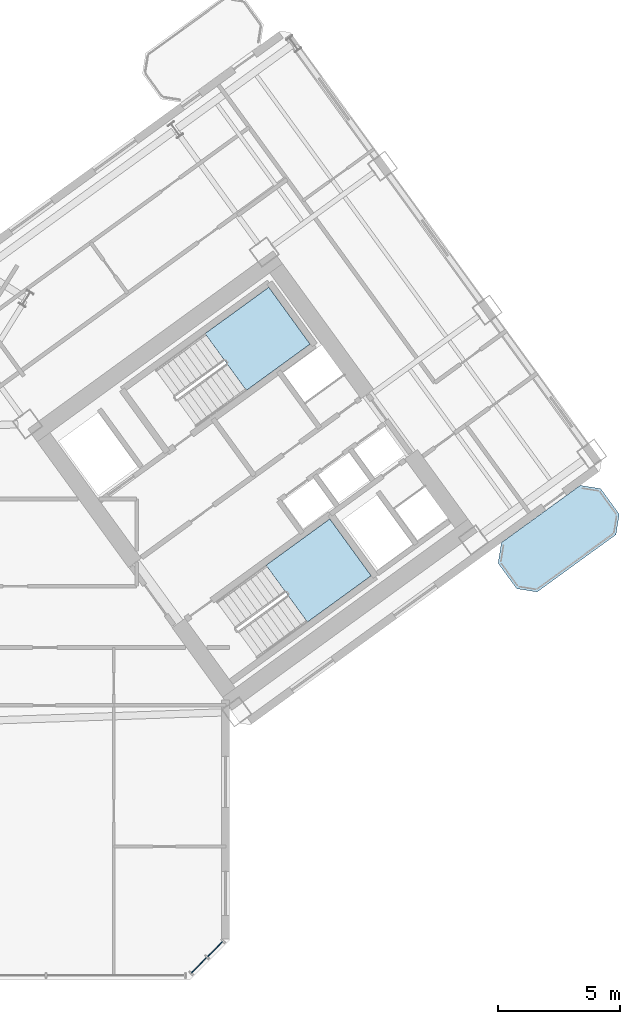
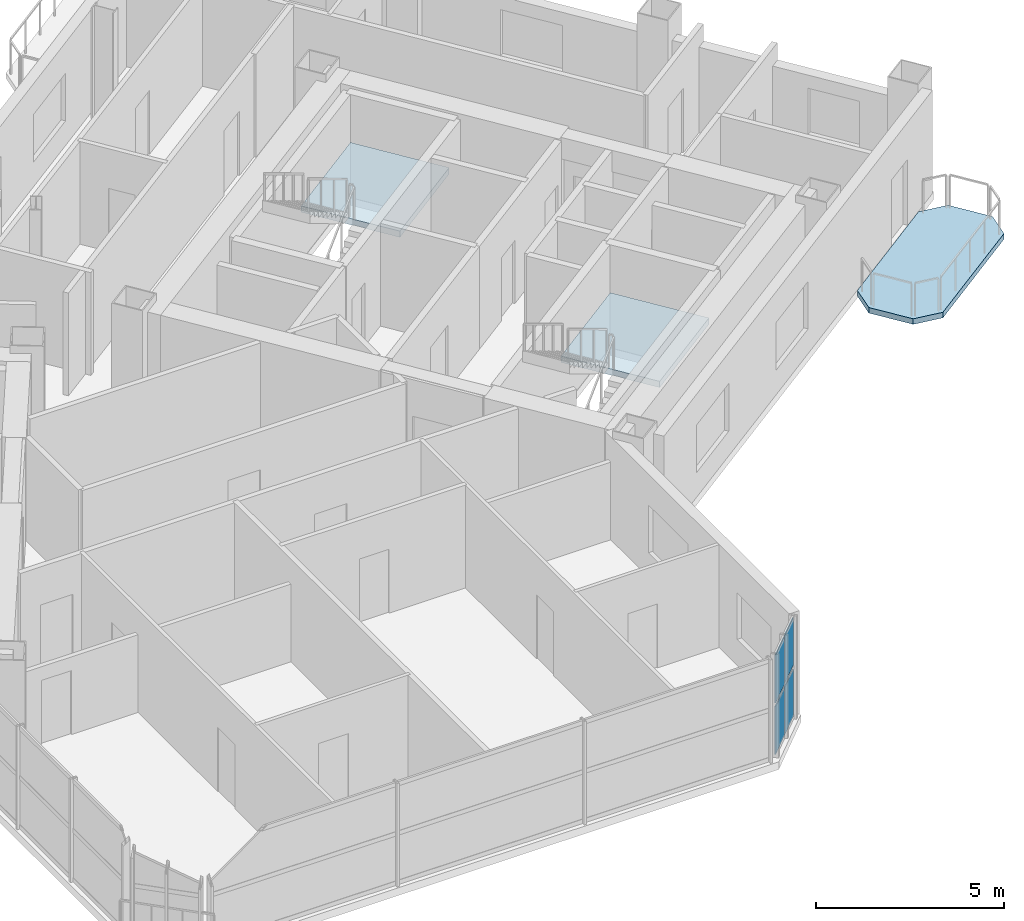
# One storey, part 10 of 21: 4 plates, 3 slabs, 3 elements without a shape of their own.
"""IFC4 building model written with IfcOpenShell, lengths in metres."""

import ifcopenshell
import ifcopenshell.guid

model = None  # the IFC model being written
_history = None  # IfcOwnerHistory: only IFC2X3 demands one
_inside = {}  # id of a spatial element -> (the spatial element, [elements in it])
_under = {}  # id of a project, library or spatial element -> (it, [spatial elements below it])
_declared = {}  # id of a project -> (the project, [libraries it declares])
_typed = {}  # id of a type object -> (the type object, [elements of that type])
_made_of = {}  # id of a material, layer set ... -> (it, [elements and type objects made of it])


def new_model(schema):
    """Start an empty IFC model of exactly this schema.

    Asked for "IFC4X3", IfcOpenShell would pick the latest addendum, in which some entities
    have other attributes; the version numbers below select the first issue.
    IFC2X3 requires an IfcOwnerHistory on every rooted entity: one is made here for all.
    """
    global model, _history
    if schema == "IFC4X3":
        model = ifcopenshell.file(schema_version=(4, 3, 0, 0))
    else:
        model = ifcopenshell.file(schema=schema)
    _inside.clear()
    _under.clear()
    _declared.clear()
    _typed.clear()
    _made_of.clear()
    _history = None
    if model.schema == "IFC2X3":
        org = make("IfcOrganization", Name="unknown")
        user = make(
            "IfcPersonAndOrganization",
            ThePerson=make("IfcPerson", FamilyName="unknown"),
            TheOrganization=org,
        )
        app = make(
            "IfcApplication",
            ApplicationDeveloper=org,
            Version="unknown",
            ApplicationFullName="unknown",
            ApplicationIdentifier="unknown",
        )
        _history = make(
            "IfcOwnerHistory",
            OwningUser=user,
            OwningApplication=app,
            ChangeAction="ADDED",
            CreationDate=0,
        )
    return model


def make(cls, **values):
    """One entity of the class cls with the attributes given. An attribute that is None is left unset."""
    return model.create_entity(
        cls, **{name: value for name, value in values.items() if value is not None}
    )


def rooted(cls, **values):
    """An entity with a GlobalId (a new one), such as an element, a storey or a relation."""
    return make(cls, GlobalId=ifcopenshell.guid.new(), OwnerHistory=_history, **values)


def si_unit(unit_type, name, prefix=None):
    """IfcSIUnit, for example si_unit("LENGTHUNIT", "METRE", prefix="MILLI")."""
    return make("IfcSIUnit", UnitType=unit_type, Prefix=prefix, Name=name)


def assignment(units):
    """IfcUnitAssignment: the units of a project."""
    return None if units is None else make("IfcUnitAssignment", Units=units)


def point(xyz):
    """IfcCartesianPoint."""
    return None if xyz is None else make("IfcCartesianPoint", Coordinates=xyz)


def direction(xyz):
    """IfcDirection."""
    return None if xyz is None else make("IfcDirection", DirectionRatios=xyz)


def frame(location, z_axis=None, x_axis=None):
    """IfcAxis2Placement3D, a coordinate frame: its origin and axes. An axis left out is left unset."""
    return make(
        "IfcAxis2Placement3D",
        Location=point(location),
        Axis=direction(z_axis),
        RefDirection=direction(x_axis),
    )


def frame_2d(location, x_axis=None):
    """IfcAxis2Placement2D, a coordinate frame in the plane: its origin and x axis."""
    return make(
        "IfcAxis2Placement2D", Location=point(location), RefDirection=direction(x_axis)
    )


def origin():
    """The frame at (0, 0, 0) with its axes left unset."""
    return frame((0.0, 0.0, 0.0))


def origin_2d():
    """The frame at (0, 0) in the plane with its x axis left unset."""
    return frame_2d((0.0, 0.0))


def place(relative_to, where):
    """IfcLocalPlacement: puts the frame where relative to a parent placement (None: the world)."""
    return make(
        "IfcLocalPlacement", PlacementRelTo=relative_to, RelativePlacement=where
    )


def context(
    kind, dimensions, precision=None, world=None, true_north=None, identifier=None
):
    """IfcGeometricRepresentationContext, for example the 3D "Model" context."""
    return make(
        "IfcGeometricRepresentationContext",
        ContextIdentifier=identifier,
        ContextType=kind,
        CoordinateSpaceDimension=dimensions,
        Precision=precision,
        WorldCoordinateSystem=world,
        TrueNorth=true_north,
    )


def subcontext(parent, identifier, kind, view, scale=None):
    """IfcGeometricRepresentationSubContext, for example "Body" below "Model"."""
    return make(
        "IfcGeometricRepresentationSubContext",
        ContextIdentifier=identifier,
        ContextType=kind,
        ParentContext=parent,
        TargetScale=scale,
        TargetView=view,
    )


def project(units=None, contexts=None):
    """IfcProject with its units and contexts."""
    return rooted(
        "IfcProject",
        Name="project",
        RepresentationContexts=contexts,
        UnitsInContext=assignment(units),
    )


def spatial(cls, under=None, at=None, **own):
    """A site, building, storey or space (cls), placed at a placement, below another one or the project."""
    s = rooted(cls, ObjectPlacement=at, **own)
    if under is not None:
        _under.setdefault(under.id(), (under, []))[1].append(s)
    return s


def polyline(points):
    """IfcPolyline through the points."""
    return make("IfcPolyline", Points=[point(p) for p in points])


def profile(cls, at=None, kind="AREA", **sizes):
    """A parametric profile (cls). Its sizes go by their IFC names, for example OverallWidth=200.0."""
    return make(cls, ProfileType=kind, Position=at, **sizes)


def rectangle(**sizes):
    """IfcRectangleProfileDef."""
    return profile("IfcRectangleProfileDef", **sizes)


def outline(outer, holes=None, kind="AREA"):
    """IfcArbitraryClosedProfileDef: a profile drawn as a closed curve; with holes, ...WithVoids."""
    if holes is None:
        return make("IfcArbitraryClosedProfileDef", ProfileType=kind, OuterCurve=outer)
    return make(
        "IfcArbitraryProfileDefWithVoids",
        ProfileType=kind,
        OuterCurve=outer,
        InnerCurves=holes,
    )


def extrude(swept, where, along, depth):
    """IfcExtrudedAreaSolid: the profile swept, set in the frame where, extruded along a direction by depth."""
    return make(
        "IfcExtrudedAreaSolid",
        SweptArea=swept,
        Position=where,
        ExtrudedDirection=direction(along),
        Depth=depth,
    )


def shape(context_of_items, identifier, shape_type, items):
    """IfcShapeRepresentation: the items that make up one representation, for example the "Body"."""
    return make(
        "IfcShapeRepresentation",
        ContextOfItems=context_of_items,
        RepresentationIdentifier=identifier,
        RepresentationType=shape_type,
        Items=items,
    )


def source(mapping_origin, context_of_items, identifier, shape_type, items):
    """IfcRepresentationMap: a shape defined once, which mapped items show again and again."""
    return make(
        "IfcRepresentationMap",
        MappingOrigin=mapping_origin,
        MappedRepresentation=shape(context_of_items, identifier, shape_type, items),
    )


def transform(
    local_origin,
    x_axis=None,
    y_axis=None,
    z_axis=None,
    scale=None,
    scale2=None,
    scale3=None,
    uniform=True,
):
    """IfcCartesianTransformationOperator3D, or its non-uniform kind. x_axis, y_axis, z_axis: its Axis1, 2, 3."""
    if uniform:
        return make(
            "IfcCartesianTransformationOperator3D",
            Axis1=direction(x_axis),
            Axis2=direction(y_axis),
            LocalOrigin=point(local_origin),
            Scale=scale,
            Axis3=direction(z_axis),
        )
    return make(
        "IfcCartesianTransformationOperator3DnonUniform",
        Axis1=direction(x_axis),
        Axis2=direction(y_axis),
        LocalOrigin=point(local_origin),
        Scale=scale,
        Axis3=direction(z_axis),
        Scale2=scale2,
        Scale3=scale3,
    )


def mapped(mapping_source, mapping_target):
    """IfcMappedItem: shows the shape of a source again, moved by a transform."""
    return make(
        "IfcMappedItem", MappingSource=mapping_source, MappingTarget=mapping_target
    )


def material(Name=None, Category=None):
    """IfcMaterial."""
    return make("IfcMaterial", Name=Name, Category=Category)


def layer(
    of_material, thickness, ventilated=None, Name=None, Category=None, Priority=None
):
    """IfcMaterialLayer: one layer of a wall or slab, of a material (None: an air gap)."""
    return make(
        "IfcMaterialLayer",
        Material=of_material,
        LayerThickness=thickness,
        IsVentilated=ventilated,
        Name=Name,
        Category=Category,
        Priority=Priority,
    )


def layer_set(layers, Name=None):
    """IfcMaterialLayerSet."""
    return make("IfcMaterialLayerSet", MaterialLayers=layers, LayerSetName=Name)


def made_of(thing, what):
    """Note that an element or type object is made of a material, layer set ...; save() writes the relation."""
    if what is not None:
        _made_of.setdefault(what.id(), (what, []))[1].append(thing)
    return thing


def type_object(cls, material=None, **own):
    """A type object (cls), such as IfcWallType, which elements share."""
    return made_of(rooted(cls, **own), material)


def element(
    cls,
    number,
    at=None,
    inside=None,
    cuts=None,
    type_object=None,
    material=None,
    context=None,
    identifier="Body",
    shape_type=None,
    held_by="IfcProductDefinitionShape",
    body=None,
    shapes=None,
    **own,
):
    """One element of the class cls, such as IfcWall. Its Tag is "e" and its number.

    at: its placement. inside: the storey or other place that contains it. cuts: it is an
    opening in that element (IfcRelVoidsElement). A single representation is given by context,
    identifier, shape_type and body (its items); several are given by shapes. held_by: the class
    of the entity that holds the representations. save() writes the other relations.
    """
    e = rooted(cls, Tag="e%d" % number, ObjectPlacement=at, **own)
    if body is not None:
        shapes = [shape(context, identifier, shape_type, body)]
    if shapes is not None:
        e.Representation = make(held_by, Representations=shapes)
    if inside is not None:
        _inside.setdefault(inside.id(), (inside, []))[1].append(e)
    if cuts is not None:
        rooted(
            "IfcRelVoidsElement", RelatingBuildingElement=cuts, RelatedOpeningElement=e
        )
    if type_object is not None:
        _typed.setdefault(type_object.id(), (type_object, []))[1].append(e)
    return made_of(e, material)


def aggregate(whole, parts):
    """IfcRelAggregates: a whole, such as a stair, and the parts it consists of."""
    return rooted("IfcRelAggregates", RelatingObject=whole, RelatedObjects=parts)


def save(model, path):
    """Write the relations noted so far, then the file.

    IfcRelAggregates (storeys below a building ...), IfcRelContainedInSpatialStructure (elements
    in a storey), IfcRelDefinesByType, IfcRelAssociatesMaterial and IfcRelDeclares: one each for
    every whole, place, type object, material and project.
    """
    for whole, parts in _under.values():
        aggregate(whole, parts)
    for where, things in _inside.values():
        rooted(
            "IfcRelContainedInSpatialStructure",
            RelatedElements=things,
            RelatingStructure=where,
        )
    for kind, things in _typed.values():
        rooted("IfcRelDefinesByType", RelatedObjects=things, RelatingType=kind)
    for what, things in _made_of.values():
        rooted("IfcRelAssociatesMaterial", RelatedObjects=things, RelatingMaterial=what)
    for by, libraries in _declared.values():
        rooted("IfcRelDeclares", RelatingContext=by, RelatedDefinitions=libraries)
    model.write(path)


model = new_model("IFC4")

# Units and contexts
model_context = context("Model", 3, precision=1e-05, world=origin(), true_north=direction((0.0, 1.0)))
body_context = subcontext(model_context, "Body", "Model", "MODEL_VIEW")
ifc_project = project(units=[si_unit("LENGTHUNIT", "METRE"), si_unit("AREAUNIT", "SQUARE_METRE"), si_unit("VOLUMEUNIT", "CUBIC_METRE"), si_unit("PLANEANGLEUNIT", "RADIAN"), si_unit("MASSUNIT", "GRAM", prefix="KILO")], contexts=[model_context])

# Site, building, storey
site_placement = place(None, origin())
site = spatial("IfcSite", under=ifc_project, at=site_placement, CompositionType="ELEMENT")
building_placement = place(site_placement, origin())
building = spatial("IfcBuilding", under=site, at=building_placement, Name="Tlacorven Tower", CompositionType="ELEMENT")
storey_placement = place(building_placement, frame((0.0, 0.0, 93.60009765625)))
storey = spatial("IfcBuildingStorey", under=building, at=storey_placement, Name="L23", CompositionType="ELEMENT", Elevation=93.60009765625)

# Slab
ifc_material_1 = material(Name="Precast concrete C45/55", Category="concrete")
ifc_layer_1 = layer(ifc_material_1, 0.179931640625)
ifc_layer_set_1 = layer_set([ifc_layer_1], Name="Precast concrete C45/55")
slab_type_1 = type_object("IfcSlabType", Name="SL-BAL-180", PredefinedType="USERDEFINED", material=ifc_layer_set_1)
slab_1_placement = place(storey_placement, frame((0.0, 0.0, -0.18017578125)))
element("IfcSlab", 1, at=slab_1_placement, inside=storey, type_object=slab_type_1, Name="L23 East Wing Balcony Ribbon OUT", ObjectType="BALCONY SLAB", PredefinedType="USERDEFINED", context=body_context, shape_type="SweptSolid", body=[
    extrude(outline(polyline([(65.025634765625, 17.69482421875), (68.26171875, 20.046142578125), (68.394287109375, 20.884033203125), (67.633056640625, 21.931884765625), (66.795166015625, 22.064453125), (63.55908203125, 19.71337890625), (63.42626953125, 18.875244140625), (64.1875, 17.82763671875), (65.025634765625, 17.69482421875)])), origin(), (0.0, 0.0, 1.0), 0.18017578125),
])

# Stair, slab
ifc_material_2 = material(Name="Concrete C40/50", Category="concrete")
stair_type = type_object("IfcStairType", Name="ST-CORE-DLG", PredefinedType="HALF_TURN_STAIR", material=ifc_material_2)
stair_1_placement = place(storey_placement, origin())
stair_1 = element("IfcStair", 2, at=stair_1_placement, inside=storey, type_object=stair_type, Name="L23 Protected Exit Stair East 1", PredefinedType="HALF_TURN_STAIR")
ifc_layer_2 = layer(ifc_material_2, 0.199951171875)
ifc_layer_set_2 = layer_set([ifc_layer_2], Name="Concrete C40/50")
slab_type_2 = type_object("IfcSlabType", Name="SL-LND-200", PredefinedType="LANDING", material=ifc_layer_set_2)
slab_2_placement = place(storey_placement, frame((0.0, 0.0, 1.599853515625)))
slab_2 = element("IfcSlab", 3, at=slab_2_placement, type_object=slab_type_2, Name="ST-E1 landing 1", PredefinedType="LANDING", context=body_context, shape_type="SweptSolid", body=[
    extrude(outline(polyline([(53.09765625, 25.962890625), (55.7109375, 27.861572265625), (54.01806640625, 30.19140625), (51.40478515625, 28.29296875), (53.09765625, 25.962890625)])), origin(), (0.0, 0.0, 1.0), 0.199951171875),
])
aggregate(stair_1, [slab_2])

stair_2_placement = place(storey_placement, origin())
stair_2 = element("IfcStair", 4, at=stair_2_placement, inside=storey, type_object=stair_type, Name="L23 Protected Exit Stair East 2", PredefinedType="HALF_TURN_STAIR")
slab_3_placement = place(storey_placement, frame((0.0, 0.0, 1.599853515625)))
slab_3 = element("IfcSlab", 5, at=slab_3_placement, type_object=slab_type_2, Name="ST-E2 landing 1", PredefinedType="LANDING", context=body_context, shape_type="SweptSolid", body=[
    extrude(outline(polyline([(55.601806640625, 16.4599609375), (58.21484375, 18.3583984375), (56.52197265625, 20.6884765625), (53.908935546875, 18.789794921875), (55.601806640625, 16.4599609375)])), origin(), (0.0, 0.0, 1.0), 0.199951171875),
])
aggregate(stair_2, [slab_3])

# Curtain wall, plates
ifc_material_3 = material(Name="Dark solar low-E double glazing in aluminium frame", Category="aluminium")
curtain_wall_type = type_object("IfcCurtainWallType", Name="CW-TWR-LOW", PredefinedType="USERDEFINED", material=ifc_material_3)
curtain_wall_placement = place(storey_placement, origin())
curtain_wall = element("IfcCurtainWall", 6, at=curtain_wall_placement, inside=storey, type_object=curtain_wall_type, Name="L23 CW-TWR-LOW Curtain Wall 119", ObjectType="UNITISED CURTAIN WALL", PredefinedType="USERDEFINED")
ifc_material_4 = material(Name="Dark solar double low-E glazing", Category="glass")
ifc_layer_3 = layer(ifc_material_4, 0.031982421875)
ifc_layer_set_3 = layer_set([ifc_layer_3], Name="Dark solar double low-E glazing")
plate_type = type_object("IfcPlateType", Name="CWP-02", PredefinedType="CURTAIN_PANEL", material=ifc_layer_set_3)
shared_shape = source(origin(), body_context, "Body", "SweptSolid", [
    extrude(rectangle(XDim=0.878173828125, YDim=0.031982421875, at=origin_2d()), origin(), (0.0, 0.0, 1.0), 1.552978515625),
])
plate_1_placement = place(storey_placement, frame((51.815673828125, 3.0419921875, 0.06103515625), z_axis=(0.0, 0.0, 1.0), x_axis=(-0.707106781187, -0.707106781187, 0.0)))
plate_1 = element("IfcPlate", 7, at=plate_1_placement, type_object=plate_type, Name="CW-L23-119 Glazing Panel 1", PredefinedType="CURTAIN_PANEL", context=body_context, shape_type="MappedRepresentation", body=[
    mapped(shared_shape, transform((0.0, 0.0, 0.0), scale=1.0)),
])
plate_2_placement = place(storey_placement, frame((51.815673828125, 3.0419921875, 1.73583984375), z_axis=(0.0, 0.0, 1.0), x_axis=(-0.707106781187, -0.707106781187, 0.0)))
plate_2 = element("IfcPlate", 8, at=plate_2_placement, type_object=plate_type, Name="CW-L23-119 Glazing Panel 2", PredefinedType="CURTAIN_PANEL", context=body_context, shape_type="MappedRepresentation", body=[
    mapped(shared_shape, transform((0.0, 0.0, 0.0), scale=1.0)),
])
plate_3_placement = place(storey_placement, frame((51.157958984375, 2.38427734375, 0.06103515625), z_axis=(0.0, 0.0, 1.0), x_axis=(-0.707106781187, -0.707106781187, 0.0)))
plate_3 = element("IfcPlate", 9, at=plate_3_placement, type_object=plate_type, Name="CW-L23-119 Glazing Panel 3", PredefinedType="CURTAIN_PANEL", context=body_context, shape_type="MappedRepresentation", body=[
    mapped(shared_shape, transform((0.0, 0.0, 0.0), scale=1.0)),
])
plate_4_placement = place(storey_placement, frame((51.157958984375, 2.38427734375, 1.73583984375), z_axis=(0.0, 0.0, 1.0), x_axis=(-0.707106781187, -0.707106781187, 0.0)))
plate_4 = element("IfcPlate", 10, at=plate_4_placement, type_object=plate_type, Name="CW-L23-119 Glazing Panel 4", PredefinedType="CURTAIN_PANEL", context=body_context, shape_type="MappedRepresentation", body=[
    mapped(shared_shape, transform((0.0, 0.0, 0.0), scale=1.0)),
])
aggregate(curtain_wall, [plate_1, plate_2, plate_3, plate_4])

save(model, "model.ifc")
